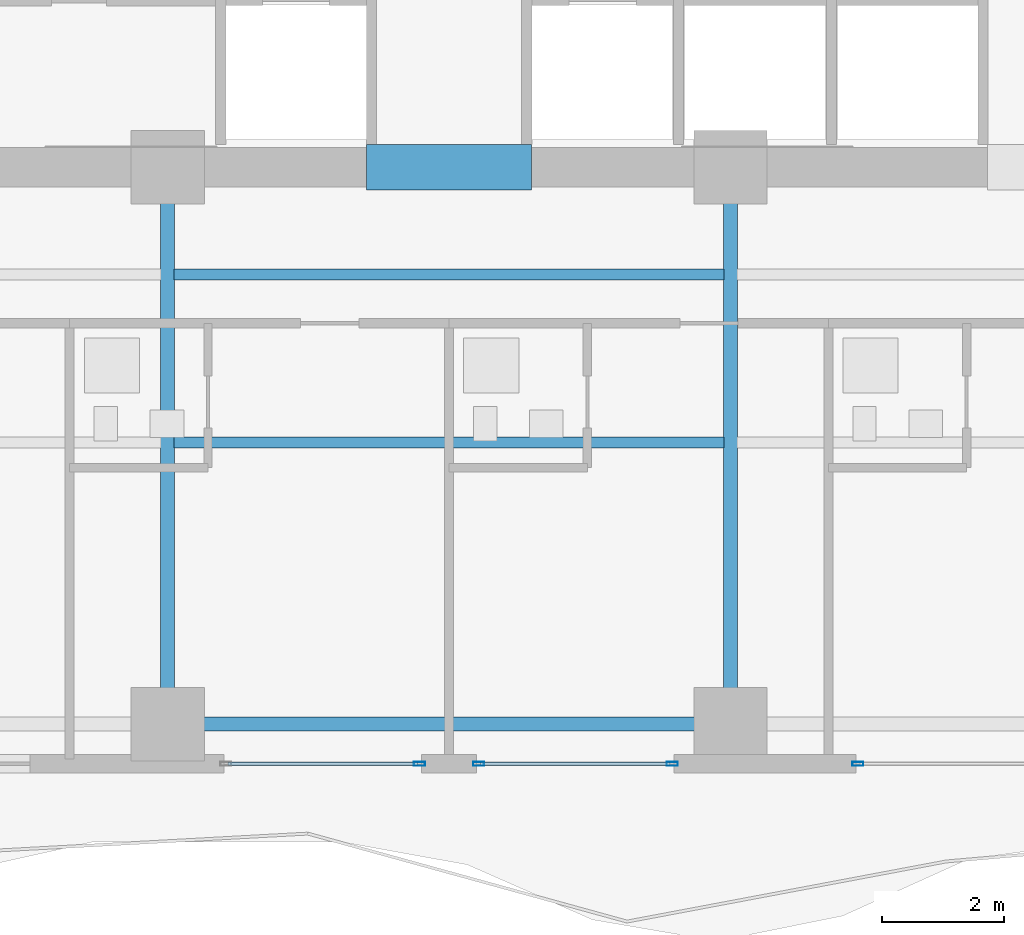
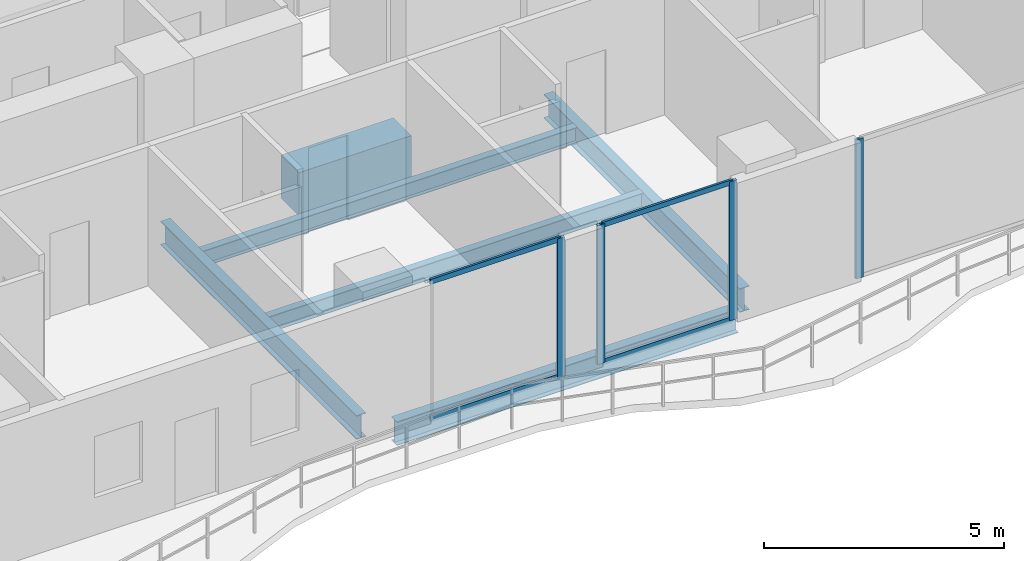
# One storey, part 6 of 32: 8 members, 6 beams, 3 elements without a shape of their own.
"""IFC4 building model written with IfcOpenShell, lengths in metres."""

from ifc_helpers import new_model, si_unit, direction, frame, origin, origin_2d, place, context, subcontext, project, spatial, rectangle, hollow_rectangle, i_section, extrude, material, layer, layer_set, material_profile, profile_set, type_object, element, aggregate, save


model = new_model("IFC4")

# Units and contexts
model_context = context("Model", 3, precision=1e-05, world=origin(), true_north=direction((0.0, 1.0)))
body_context = subcontext(model_context, "Body", "Model", "MODEL_VIEW")
ifc_project = project(units=[si_unit("LENGTHUNIT", "METRE"), si_unit("AREAUNIT", "SQUARE_METRE"), si_unit("VOLUMEUNIT", "CUBIC_METRE"), si_unit("PLANEANGLEUNIT", "RADIAN"), si_unit("MASSUNIT", "GRAM", prefix="KILO")], contexts=[model_context])

# Site, building, storey
site_placement = place(None, origin())
site = spatial("IfcSite", under=ifc_project, at=site_placement, CompositionType="ELEMENT")
building_placement = place(site_placement, origin())
building = spatial("IfcBuilding", under=site, at=building_placement, Name="Zuhayl Quay Hotel", CompositionType="ELEMENT")
storey_placement = place(building_placement, frame((0.0, 0.0, 192.39990234375)))
storey = spatial("IfcBuildingStorey", under=building, at=storey_placement, Name="L48", CompositionType="ELEMENT", Elevation=192.39990234375)

# Beams
ifc_material_1 = material(Name="Steel ASTM A992 Grade 50", Category="steel")
ifc_material_profile_1 = material_profile(ifc_material_1, i_section(OverallWidth=0.22802734375, OverallDepth=0.60693359375, WebThickness=0.01123046875, FlangeThickness=0.017333984375, at=origin_2d()), Name="W24X76")
ifc_profile_set_1 = profile_set([ifc_material_profile_1], Name="Steel ASTM A992 Grade 50")
beam_type_1 = type_object("IfcBeamType", Name="BM_B3_W24X76", PredefinedType="BEAM", material=ifc_profile_set_1)
beam_1_placement = place(storey_placement, frame((-4.10009765625, -6.949951171875, -0.5234375), z_axis=(1.0, 0.0, 0.0), x_axis=(0.0, 1.0, 0.0)))
element("IfcBeam", 1, at=beam_1_placement, inside=storey, type_object=beam_type_1, Name="L48 Floor Beam RG_L48_02", PredefinedType="BEAM", context=body_context, shape_type="SweptSolid", body=[
    extrude(i_section(OverallWidth=0.22802734375, OverallDepth=0.60693359375, WebThickness=0.01123046875, FlangeThickness=0.017333984375, at=origin_2d()), origin(), (0.0, 0.0, 1.0), 8.2001953125),
])
for number, where, z_axis, x_axis, name in (
    (2, (-4.60009765625, -6.449951171875, -0.5234375), (0.0, 1.0, 0.0), (-1.0, 0.0, 0.0), "L48 Floor Beam FG_S_L48_2"),
    (3, (4.60009765625, -6.449951171875, -0.5234375), (0.0, 1.0, 0.0), (-1.0, 0.0, 0.0), "L48 Floor Beam FG_S_L48_3"),
):
    element("IfcBeam", number, at=place(storey_placement, frame(where, z_axis=z_axis, x_axis=x_axis)), inside=storey, type_object=beam_type_1, Name=name, PredefinedType="BEAM", context=body_context, shape_type="SweptSolid", body=[
        extrude(i_section(OverallWidth=0.22802734375, OverallDepth=0.60693359375, WebThickness=0.01123046875, FlangeThickness=0.017333984375, at=origin_2d()), origin(), (0.0, 0.0, 1.0), 8.14990234375),
    ])
ifc_material_2 = material(Name="Concrete C60/75", Category="concrete")
ifc_material_profile_2 = material_profile(ifc_material_2, rectangle(XDim=0.75, YDim=1.10009765625, at=origin_2d()), Name="RC750X1100")
ifc_profile_set_2 = profile_set([ifc_material_profile_2], Name="Concrete C60/75")
beam_type_2 = type_object("IfcBeamType", Name="BM_CB2_RC750", PredefinedType="T_BEAM", material=ifc_profile_set_2)
beam_2_placement = place(storey_placement, frame((-1.35009765625, 2.14990234375, -0.77001953125), z_axis=(1.0, 0.0, 0.0), x_axis=(0.0, 1.0, 0.0)))
element("IfcBeam", 4, at=beam_2_placement, inside=storey, type_object=beam_type_2, Name="L48 Core Coupling Beam South", PredefinedType="T_BEAM", context=body_context, shape_type="SweptSolid", body=[
    extrude(rectangle(XDim=0.75, YDim=1.10009765625, at=origin_2d()), origin(), (0.0, 0.0, 1.0), 2.7001953125),
])
ifc_material_profile_3 = material_profile(ifc_material_1, i_section(OverallWidth=0.177978515625, OverallDepth=0.406005859375, WebThickness=0.0078125, FlangeThickness=0.0126953125, at=origin_2d()), Name="W16X40")
ifc_profile_set_3 = profile_set([ifc_material_profile_3], Name="Steel ASTM A992 Grade 50")
beam_type_3 = type_object("IfcBeamType", Name="BM_J2B_W16X40", PredefinedType="JOIST", material=ifc_profile_set_3)
for number, where, z_axis, x_axis, name in (
    (5, (-4.493896484375, -2.35009765625, -0.4228515625), (1.0, 0.0, 0.0), (0.0, 1.0, 0.0), "L48 Floor Beam FJ_L48_7_2"),
    (6, (-4.493896484375, 0.39990234375, -0.4228515625), (1.0, 0.0, 0.0), (0.0, 1.0, 0.0), "L48 Floor Beam FJ_L48_8_2"),
):
    element("IfcBeam", number, at=place(storey_placement, frame(where, z_axis=z_axis, x_axis=x_axis)), inside=storey, type_object=beam_type_3, Name=name, PredefinedType="JOIST", context=body_context, shape_type="SweptSolid", body=[
        extrude(i_section(OverallWidth=0.177978515625, OverallDepth=0.406005859375, WebThickness=0.0078125, FlangeThickness=0.0126953125, at=origin_2d()), origin(), (0.0, 0.0, 1.0), 8.98779296875),
    ])

# Curtain wall, member
ifc_material_3 = material(Name="Anodised Aluminium 6063-T6", Category="aluminium")
ifc_layer = layer(ifc_material_3, 0.175048828125, Name="Anodised Aluminium 6063-T6", Category="aluminium")
ifc_layer_set = layer_set([ifc_layer], Name="Anodised Aluminium 6063-T6")
curtain_wall_type = type_object("IfcCurtainWallType", Name="CW_SYS_Z3", PredefinedType="USERDEFINED", material=ifc_layer_set)
curtain_wall_1_placement = place(storey_placement, origin())
curtain_wall_1 = element("IfcCurtainWall", 7, at=curtain_wall_1_placement, inside=storey, type_object=curtain_wall_type, Name="L48 Curtain Wall ENV_L48_S_CW2", ObjectType="UNITISED CURTAIN WALL", PredefinedType="USERDEFINED")
ifc_material_4 = material(Name="Black-anodised aluminium 6063-T6", Category="aluminium")
ifc_material_profile_4 = material_profile(ifc_material_4, hollow_rectangle(XDim=0.06494140625, YDim=0.179931640625, WallThickness=0.00341796875, at=origin_2d()), Name="ALU180X65")
ifc_profile_set_4 = profile_set([ifc_material_profile_4], Name="Black-anodised aluminium 6063-T6")
member_type_1 = type_object("IfcMemberType", Name="MB_CW_MUL_180", PredefinedType="MULLION", material=ifc_profile_set_4)
member_1_placement = place(storey_placement, frame((6.6826171875, -7.60009765625, 0.0), z_axis=(0.0, 0.0, 1.0), x_axis=(0.0, -1.0, 0.0)))
member_1 = element("IfcMember", 8, at=member_1_placement, type_object=member_type_1, Name="CW-Z3 mullion 2", PredefinedType="MULLION", context=body_context, shape_type="SweptSolid", body=[
    extrude(hollow_rectangle(XDim=0.06494140625, YDim=0.179931640625, WallThickness=0.00341796875, at=origin_2d()), origin(), (0.0, 0.0, 1.0), 3.530029296875),
])
aggregate(curtain_wall_1, [member_1])

# Curtain wall, members
curtain_wall_2_placement = place(storey_placement, origin())
curtain_wall_2 = element("IfcCurtainWall", 9, at=curtain_wall_2_placement, inside=storey, type_object=curtain_wall_type, Name="L48 Curtain Wall ENV_L48_S_CW3", ObjectType="UNITISED CURTAIN WALL", PredefinedType="USERDEFINED")
member_2_placement = place(storey_placement, frame((3.6474609375, -7.60009765625, 0.0), z_axis=(0.0, 0.0, 1.0), x_axis=(0.0, -1.0, 0.0)))
member_2 = element("IfcMember", 10, at=member_2_placement, type_object=member_type_1, Name="CW-Z3 mullion 1", PredefinedType="MULLION", context=body_context, shape_type="SweptSolid", body=[
    extrude(hollow_rectangle(XDim=0.06494140625, YDim=0.179931640625, WallThickness=0.00341796875, at=origin_2d()), origin(), (0.0, 0.0, 1.0), 3.530029296875),
])
member_3_placement = place(storey_placement, frame((0.482421875, -7.60009765625, 0.0), z_axis=(0.0, 0.0, 1.0), x_axis=(0.0, -1.0, 0.0)))
member_3 = element("IfcMember", 11, at=member_3_placement, type_object=member_type_1, Name="CW-Z3 mullion 2", PredefinedType="MULLION", context=body_context, shape_type="SweptSolid", body=[
    extrude(hollow_rectangle(XDim=0.06494140625, YDim=0.179931640625, WallThickness=0.00341796875, at=origin_2d()), origin(), (0.0, 0.0, 1.0), 3.530029296875),
])

# Curtain wall, member
curtain_wall_3_placement = place(storey_placement, origin())
curtain_wall_3 = element("IfcCurtainWall", 12, at=curtain_wall_3_placement, inside=storey, type_object=curtain_wall_type, Name="L48 Curtain Wall ENV_L48_S_CW4", ObjectType="UNITISED CURTAIN WALL", PredefinedType="USERDEFINED")
member_4_placement = place(storey_placement, frame((-0.482421875, -7.60009765625, 0.0), z_axis=(0.0, 0.0, 1.0), x_axis=(0.0, -1.0, 0.0)))
member_4 = element("IfcMember", 13, at=member_4_placement, type_object=member_type_1, Name="CW-Z3 mullion 1", PredefinedType="MULLION", context=body_context, shape_type="SweptSolid", body=[
    extrude(hollow_rectangle(XDim=0.06494140625, YDim=0.179931640625, WallThickness=0.00341796875, at=origin_2d()), origin(), (0.0, 0.0, 1.0), 3.530029296875),
])

# Member
ifc_material_profile_5 = material_profile(ifc_material_4, hollow_rectangle(XDim=0.054931640625, YDim=0.1298828125, WallThickness=0.0029296875, at=origin_2d()), Name="ALU130X55")
ifc_profile_set_5 = profile_set([ifc_material_profile_5], Name="Black-anodised aluminium 6063-T6")
member_type_2 = type_object("IfcMemberType", Name="MB_CW_TRN_130", PredefinedType="USERDEFINED", material=ifc_profile_set_5)
member_5_placement = place(storey_placement, frame((3.614990234375, -7.60009765625, 0.027587890625), z_axis=(-1.0, 0.0, 0.0), x_axis=(0.0, -1.0, 0.0)))
member_5 = element("IfcMember", 14, at=member_5_placement, type_object=member_type_2, Name="CW-Z3 transom 1.1", ObjectType="TRANSOM", PredefinedType="USERDEFINED", context=body_context, shape_type="SweptSolid", body=[
    extrude(hollow_rectangle(XDim=0.054931640625, YDim=0.1298828125, WallThickness=0.0029296875, at=origin_2d()), origin(), (0.0, 0.0, 1.0), 3.10009765625),
])

member_6_placement = place(storey_placement, frame((3.614990234375, -7.60009765625, 3.502685546875), z_axis=(-1.0, 0.0, 0.0), x_axis=(0.0, -1.0, 0.0)))
member_6 = element("IfcMember", 15, at=member_6_placement, type_object=member_type_2, Name="CW-Z3 transom 1.2", ObjectType="TRANSOM", PredefinedType="USERDEFINED", context=body_context, shape_type="SweptSolid", body=[
    extrude(hollow_rectangle(XDim=0.054931640625, YDim=0.1298828125, WallThickness=0.0029296875, at=origin_2d()), origin(), (0.0, 0.0, 1.0), 3.10009765625),
])

aggregate(curtain_wall_2, [member_2, member_3, member_5, member_6])

member_7_placement = place(storey_placement, frame((-0.514892578125, -7.60009765625, 0.027587890625), z_axis=(-1.0, 0.0, 0.0), x_axis=(0.0, -1.0, 0.0)))
member_7 = element("IfcMember", 16, at=member_7_placement, type_object=member_type_2, Name="CW-Z3 transom 1.1", ObjectType="TRANSOM", PredefinedType="USERDEFINED", context=body_context, shape_type="SweptSolid", body=[
    extrude(hollow_rectangle(XDim=0.054931640625, YDim=0.1298828125, WallThickness=0.0029296875, at=origin_2d()), origin(), (0.0, 0.0, 1.0), 3.10009765625),
])

member_8_placement = place(storey_placement, frame((-0.514892578125, -7.60009765625, 3.502685546875), z_axis=(-1.0, 0.0, 0.0), x_axis=(0.0, -1.0, 0.0)))
member_8 = element("IfcMember", 17, at=member_8_placement, type_object=member_type_2, Name="CW-Z3 transom 1.2", ObjectType="TRANSOM", PredefinedType="USERDEFINED", context=body_context, shape_type="SweptSolid", body=[
    extrude(hollow_rectangle(XDim=0.054931640625, YDim=0.1298828125, WallThickness=0.0029296875, at=origin_2d()), origin(), (0.0, 0.0, 1.0), 3.10009765625),
])

aggregate(curtain_wall_3, [member_4, member_7, member_8])

save(model, "model.ifc")
